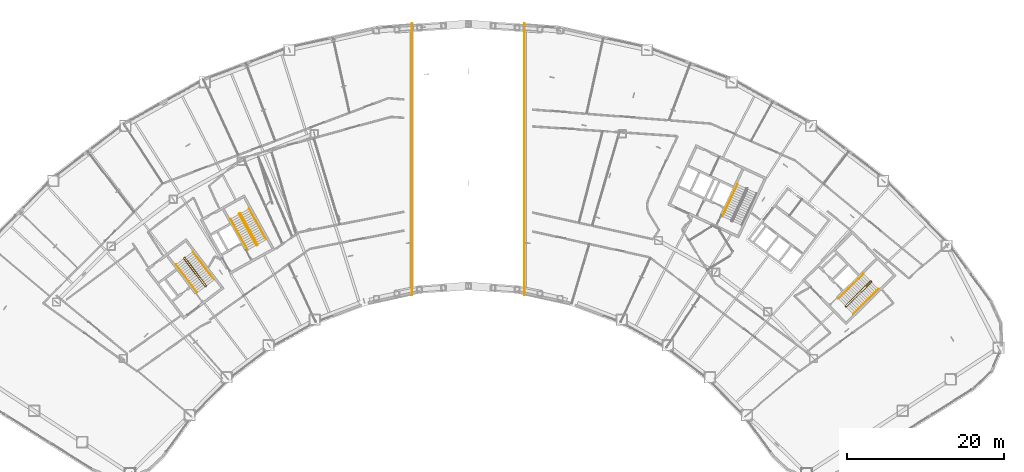
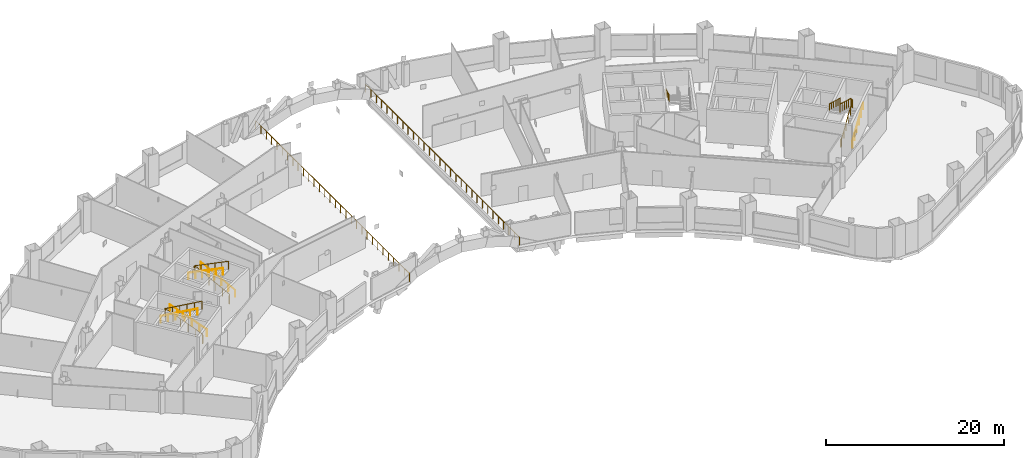
# One storey, part 23 of 24: 12 railings.
"""IFC4 building model written with IfcOpenShell, lengths in metres."""

import ifcopenshell
import ifcopenshell.guid

model = None  # the IFC model being written
_history = None  # IfcOwnerHistory: only IFC2X3 demands one
_inside = {}  # id of a spatial element -> (the spatial element, [elements in it])
_under = {}  # id of a project, library or spatial element -> (it, [spatial elements below it])
_declared = {}  # id of a project -> (the project, [libraries it declares])
_typed = {}  # id of a type object -> (the type object, [elements of that type])
_made_of = {}  # id of a material, layer set ... -> (it, [elements and type objects made of it])


def new_model(schema):
    """Start an empty IFC model of exactly this schema.

    Asked for "IFC4X3", IfcOpenShell would pick the latest addendum, in which some entities
    have other attributes; the version numbers below select the first issue.
    IFC2X3 requires an IfcOwnerHistory on every rooted entity: one is made here for all.
    """
    global model, _history
    if schema == "IFC4X3":
        model = ifcopenshell.file(schema_version=(4, 3, 0, 0))
    else:
        model = ifcopenshell.file(schema=schema)
    _inside.clear()
    _under.clear()
    _declared.clear()
    _typed.clear()
    _made_of.clear()
    _history = None
    if model.schema == "IFC2X3":
        org = make("IfcOrganization", Name="unknown")
        user = make(
            "IfcPersonAndOrganization",
            ThePerson=make("IfcPerson", FamilyName="unknown"),
            TheOrganization=org,
        )
        app = make(
            "IfcApplication",
            ApplicationDeveloper=org,
            Version="unknown",
            ApplicationFullName="unknown",
            ApplicationIdentifier="unknown",
        )
        _history = make(
            "IfcOwnerHistory",
            OwningUser=user,
            OwningApplication=app,
            ChangeAction="ADDED",
            CreationDate=0,
        )
    return model


def make(cls, **values):
    """One entity of the class cls with the attributes given. An attribute that is None is left unset."""
    return model.create_entity(
        cls, **{name: value for name, value in values.items() if value is not None}
    )


def rooted(cls, **values):
    """An entity with a GlobalId (a new one), such as an element, a storey or a relation."""
    return make(cls, GlobalId=ifcopenshell.guid.new(), OwnerHistory=_history, **values)


def si_unit(unit_type, name, prefix=None):
    """IfcSIUnit, for example si_unit("LENGTHUNIT", "METRE", prefix="MILLI")."""
    return make("IfcSIUnit", UnitType=unit_type, Prefix=prefix, Name=name)


def assignment(units):
    """IfcUnitAssignment: the units of a project."""
    return None if units is None else make("IfcUnitAssignment", Units=units)


def point(xyz):
    """IfcCartesianPoint."""
    return None if xyz is None else make("IfcCartesianPoint", Coordinates=xyz)


def direction(xyz):
    """IfcDirection."""
    return None if xyz is None else make("IfcDirection", DirectionRatios=xyz)


def frame(location, z_axis=None, x_axis=None):
    """IfcAxis2Placement3D, a coordinate frame: its origin and axes. An axis left out is left unset."""
    return make(
        "IfcAxis2Placement3D",
        Location=point(location),
        Axis=direction(z_axis),
        RefDirection=direction(x_axis),
    )


def frame_2d(location, x_axis=None):
    """IfcAxis2Placement2D, a coordinate frame in the plane: its origin and x axis."""
    return make(
        "IfcAxis2Placement2D", Location=point(location), RefDirection=direction(x_axis)
    )


def origin():
    """The frame at (0, 0, 0) with its axes left unset."""
    return frame((0.0, 0.0, 0.0))


def origin_2d():
    """The frame at (0, 0) in the plane with its x axis left unset."""
    return frame_2d((0.0, 0.0))


def place(relative_to, where):
    """IfcLocalPlacement: puts the frame where relative to a parent placement (None: the world)."""
    return make(
        "IfcLocalPlacement", PlacementRelTo=relative_to, RelativePlacement=where
    )


def context(
    kind, dimensions, precision=None, world=None, true_north=None, identifier=None
):
    """IfcGeometricRepresentationContext, for example the 3D "Model" context."""
    return make(
        "IfcGeometricRepresentationContext",
        ContextIdentifier=identifier,
        ContextType=kind,
        CoordinateSpaceDimension=dimensions,
        Precision=precision,
        WorldCoordinateSystem=world,
        TrueNorth=true_north,
    )


def subcontext(parent, identifier, kind, view, scale=None):
    """IfcGeometricRepresentationSubContext, for example "Body" below "Model"."""
    return make(
        "IfcGeometricRepresentationSubContext",
        ContextIdentifier=identifier,
        ContextType=kind,
        ParentContext=parent,
        TargetScale=scale,
        TargetView=view,
    )


def project(units=None, contexts=None):
    """IfcProject with its units and contexts."""
    return rooted(
        "IfcProject",
        Name="project",
        RepresentationContexts=contexts,
        UnitsInContext=assignment(units),
    )


def spatial(cls, under=None, at=None, **own):
    """A site, building, storey or space (cls), placed at a placement, below another one or the project."""
    s = rooted(cls, ObjectPlacement=at, **own)
    if under is not None:
        _under.setdefault(under.id(), (under, []))[1].append(s)
    return s


def profile(cls, at=None, kind="AREA", **sizes):
    """A parametric profile (cls). Its sizes go by their IFC names, for example OverallWidth=200.0."""
    return make(cls, ProfileType=kind, Position=at, **sizes)


def circle(**sizes):
    """IfcCircleProfileDef."""
    return profile("IfcCircleProfileDef", **sizes)


def extrude(swept, where, along, depth):
    """IfcExtrudedAreaSolid: the profile swept, set in the frame where, extruded along a direction by depth."""
    return make(
        "IfcExtrudedAreaSolid",
        SweptArea=swept,
        Position=where,
        ExtrudedDirection=direction(along),
        Depth=depth,
    )


def shape(context_of_items, identifier, shape_type, items):
    """IfcShapeRepresentation: the items that make up one representation, for example the "Body"."""
    return make(
        "IfcShapeRepresentation",
        ContextOfItems=context_of_items,
        RepresentationIdentifier=identifier,
        RepresentationType=shape_type,
        Items=items,
    )


def material(Name=None, Category=None):
    """IfcMaterial."""
    return make("IfcMaterial", Name=Name, Category=Category)


def made_of(thing, what):
    """Note that an element or type object is made of a material, layer set ...; save() writes the relation."""
    if what is not None:
        _made_of.setdefault(what.id(), (what, []))[1].append(thing)
    return thing


def type_object(cls, material=None, **own):
    """A type object (cls), such as IfcWallType, which elements share."""
    return made_of(rooted(cls, **own), material)


def element(
    cls,
    number,
    at=None,
    inside=None,
    cuts=None,
    type_object=None,
    material=None,
    context=None,
    identifier="Body",
    shape_type=None,
    held_by="IfcProductDefinitionShape",
    body=None,
    shapes=None,
    **own,
):
    """One element of the class cls, such as IfcWall. Its Tag is "e" and its number.

    at: its placement. inside: the storey or other place that contains it. cuts: it is an
    opening in that element (IfcRelVoidsElement). A single representation is given by context,
    identifier, shape_type and body (its items); several are given by shapes. held_by: the class
    of the entity that holds the representations. save() writes the other relations.
    """
    e = rooted(cls, Tag="e%d" % number, ObjectPlacement=at, **own)
    if body is not None:
        shapes = [shape(context, identifier, shape_type, body)]
    if shapes is not None:
        e.Representation = make(held_by, Representations=shapes)
    if inside is not None:
        _inside.setdefault(inside.id(), (inside, []))[1].append(e)
    if cuts is not None:
        rooted(
            "IfcRelVoidsElement", RelatingBuildingElement=cuts, RelatedOpeningElement=e
        )
    if type_object is not None:
        _typed.setdefault(type_object.id(), (type_object, []))[1].append(e)
    return made_of(e, material)


def aggregate(whole, parts):
    """IfcRelAggregates: a whole, such as a stair, and the parts it consists of."""
    return rooted("IfcRelAggregates", RelatingObject=whole, RelatedObjects=parts)


def save(model, path):
    """Write the relations noted so far, then the file.

    IfcRelAggregates (storeys below a building ...), IfcRelContainedInSpatialStructure (elements
    in a storey), IfcRelDefinesByType, IfcRelAssociatesMaterial and IfcRelDeclares: one each for
    every whole, place, type object, material and project.
    """
    for whole, parts in _under.values():
        aggregate(whole, parts)
    for where, things in _inside.values():
        rooted(
            "IfcRelContainedInSpatialStructure",
            RelatedElements=things,
            RelatingStructure=where,
        )
    for kind, things in _typed.values():
        rooted("IfcRelDefinesByType", RelatedObjects=things, RelatingType=kind)
    for what, things in _made_of.values():
        rooted("IfcRelAssociatesMaterial", RelatedObjects=things, RelatingMaterial=what)
    for by, libraries in _declared.values():
        rooted("IfcRelDeclares", RelatingContext=by, RelatedDefinitions=libraries)
    model.write(path)


model = new_model("IFC4")

# Units and contexts
model_context = context("Model", 3, precision=1e-05, world=origin(), true_north=direction((0.0, 1.0)))
body_context = subcontext(model_context, "Body", "Model", "MODEL_VIEW")
ifc_project = project(units=[si_unit("LENGTHUNIT", "METRE"), si_unit("AREAUNIT", "SQUARE_METRE"), si_unit("VOLUMEUNIT", "CUBIC_METRE"), si_unit("PLANEANGLEUNIT", "RADIAN"), si_unit("MASSUNIT", "GRAM", prefix="KILO")], contexts=[model_context])

# Site, building, storey
site_placement = place(None, origin())
site = spatial("IfcSite", under=ifc_project, at=site_placement, CompositionType="ELEMENT")
building_placement = place(site_placement, origin())
building = spatial("IfcBuilding", under=site, at=building_placement, Name="Tuul Gate Civic Tower", CompositionType="ELEMENT")
storey_placement = place(building_placement, frame((0.0, 0.0, 21.89990234375)))
storey = spatial("IfcBuildingStorey", under=building, at=storey_placement, Name="Level 04", CompositionType="ELEMENT", Elevation=21.89990234375)

# Railings
ifc_material_1 = material(Name="Painted steel", Category="steel")
railing_type_1 = type_object("IfcRailingType", Name="Stair guard", PredefinedType="GUARDRAIL", material=ifc_material_1)
railing_1_placement = place(storey_placement, frame((-33.382080078125, -13.515380859375, 0.0)))
element("IfcRailing", 1, at=railing_1_placement, inside=storey, type_object=railing_type_1, Name="Level 04 ST-1 stair guard 1", PredefinedType="GUARDRAIL", context=body_context, shape_type="SweptSolid", body=[
    extrude(circle(Radius=0.02392578125, at=origin_2d()), frame((0.0, 0.0, 1.076171875), z_axis=(-0.795879841968, -0.605454603706, 0.0), x_axis=(0.605454603706, -0.795879841968, 0.0)), (0.0, 0.0, 1.0), 0.10009765625),
    extrude(circle(Radius=0.02392578125, at=origin_2d()), frame((-0.07958984375, -0.060546875, 1.076171875), z_axis=(0.408676696321, 0.599019267211, 0.688592241747), x_axis=(-0.826063974707, 0.563576356576, 0.0)), (0.0, 0.0, 1.0), 0.218017578125),
    extrude(circle(Radius=0.02392578125, at=origin_2d()), frame((0.009521484375, 0.070068359375, 1.22607421875), z_axis=(-0.541802573537, 0.711646640476, 0.44722369169), x_axis=(-0.795649622695, -0.605757111312, 0.0)), (0.0, 0.0, 1.0), 5.031005859375),
    extrude(circle(Radius=0.02392578125, at=origin_2d()), frame((-2.71630859375, 3.650390625, 3.47607421875), z_axis=(-0.990893089246, 0.134650977284, 0.0), x_axis=(-0.134650977284, -0.990893089246, 0.0)), (0.0, 0.0, 1.0), 0.07080078125),
    extrude(circle(Radius=0.02392578125, at=origin_2d()), frame((-2.786376953125, 3.659912109375, 3.47607421875), z_axis=(-0.795879841968, -0.605454603706, 0.0), x_axis=(0.605454603706, -0.795879841968, 0.0)), (0.0, 0.0, 1.0), 0.10009765625),
    extrude(circle(Radius=0.02392578125, at=origin_2d()), frame((-2.865966796875, 3.599365234375, 3.47607421875), z_axis=(-0.057447065493, -0.422751481959, 0.904423031091), x_axis=(0.990893089246, -0.134650977284, 0.0)), (0.0, 0.0, 1.0), 0.165771484375),
    extrude(circle(Radius=0.02392578125, at=origin_2d()), frame((-2.87548828125, 3.529296875, 3.6259765625), z_axis=(0.541802573537, -0.711646640476, 0.44722369169), x_axis=(0.795649622695, 0.605757111312, 0.0)), (0.0, 0.0, 1.0), 5.031005859375),
    extrude(circle(Radius=0.02099609375, at=origin_2d()), origin(), (0.0, 0.0, 1.0), 1.052001953125),
    extrude(circle(Radius=0.02099609375, at=origin_2d()), frame((-0.07958984375, -0.060546875, 0.0)), (0.0, 0.0, 1.0), 1.052001953125),
    extrude(circle(Radius=0.02099609375, at=origin_2d()), frame((0.009521484375, 0.070068359375, 0.150146484375)), (0.0, 0.0, 1.0), 1.052001953125),
    extrude(circle(Radius=0.02099609375, at=origin_2d()), frame((-0.53564453125, 0.7861328125, 0.60009765625)), (0.0, 0.0, 1.0), 1.052001953125),
    extrude(circle(Radius=0.02099609375, at=origin_2d()), frame((-1.080810546875, 1.502197265625, 1.050048828125)), (0.0, 0.0, 1.0), 1.052001953125),
    extrude(circle(Radius=0.02099609375, at=origin_2d()), frame((-1.6259765625, 2.21826171875, 1.500244140625)), (0.0, 0.0, 1.0), 1.052001953125),
    extrude(circle(Radius=0.02099609375, at=origin_2d()), frame((-2.171142578125, 2.934326171875, 1.9501953125)), (0.0, 0.0, 1.0), 1.052001953125),
    extrude(circle(Radius=0.02099609375, at=origin_2d()), frame((-2.71630859375, 3.650390625, 2.400146484375)), (0.0, 0.0, 1.0), 1.052001953125),
    extrude(circle(Radius=0.02099609375, at=origin_2d()), frame((-2.786376953125, 3.659912109375, 2.400146484375)), (0.0, 0.0, 1.0), 1.052001953125),
    extrude(circle(Radius=0.02099609375, at=origin_2d()), frame((-2.865966796875, 3.599365234375, 2.400146484375)), (0.0, 0.0, 1.0), 1.052001953125),
    extrude(circle(Radius=0.02099609375, at=origin_2d()), frame((-2.87548828125, 3.529296875, 2.550048828125)), (0.0, 0.0, 1.0), 1.052001953125),
    extrude(circle(Radius=0.02099609375, at=origin_2d()), frame((-2.330322265625, 2.813232421875, 3.0)), (0.0, 0.0, 1.0), 1.052001953125),
    extrude(circle(Radius=0.02099609375, at=origin_2d()), frame((-1.78515625, 2.09716796875, 3.449951171875)), (0.0, 0.0, 1.0), 1.052001953125),
    extrude(circle(Radius=0.02099609375, at=origin_2d()), frame((-1.239990234375, 1.381103515625, 3.900146484375)), (0.0, 0.0, 1.0), 1.052001953125),
    extrude(circle(Radius=0.02099609375, at=origin_2d()), frame((-0.69482421875, 0.6650390625, 4.35009765625)), (0.0, 0.0, 1.0), 1.052001953125),
    extrude(circle(Radius=0.02099609375, at=origin_2d()), frame((-0.149658203125, -0.051025390625, 4.800048828125)), (0.0, 0.0, 1.0), 1.052001953125),
])
railing_2_placement = place(storey_placement, frame((-26.857666015625, -8.247314453125, 0.0)))
element("IfcRailing", 2, at=railing_2_placement, inside=storey, type_object=railing_type_1, Name="Level 04 ST-2 stair guard 1", PredefinedType="GUARDRAIL", context=body_context, shape_type="SweptSolid", body=[
    extrude(circle(Radius=0.02392578125, at=origin_2d()), frame((0.0, 0.0, 1.076171875), z_axis=(-0.874616555828, -0.48481530532, 0.0), x_axis=(0.48481530532, -0.874616555828, 0.0)), (0.0, 0.0, 1.0), 0.10009765625),
    extrude(circle(Radius=0.02392578125, at=origin_2d()), frame((-0.087646484375, -0.048583984375, 1.076171875), z_axis=(0.490435707169, 0.534104639999, 0.688625479244), x_axis=(-0.736576986774, 0.676353711126, 0.0)), (0.0, 0.0, 1.0), 0.218017578125),
    extrude(circle(Radius=0.02392578125, at=origin_2d()), frame((0.019287109375, 0.06787109375, 1.22607421875), z_axis=(-0.433570456934, 0.782319295656, 0.447205968786), x_axis=(-0.874655833576, -0.484744440702, 0.0)), (0.0, 0.0, 1.0), 5.03125),
    extrude(circle(Radius=0.02392578125, at=origin_2d()), frame((-2.162109375, 4.00390625, 3.47607421875), z_axis=(-0.961914682459, 0.273349855807, 0.0), x_axis=(-0.273349855807, -0.961914682459, 0.0)), (0.0, 0.0, 1.0), 0.070556640625),
    extrude(circle(Radius=0.02392578125, at=origin_2d()), frame((-2.22998046875, 4.023193359375, 3.47607421875), z_axis=(-0.875078096442, -0.48398174049, 0.0), x_axis=(0.48398174049, -0.875078096442, 0.0)), (0.0, 0.0, 1.0), 0.099853515625),
    extrude(circle(Radius=0.02392578125, at=origin_2d()), frame((-2.3173828125, 3.974853515625, 3.47607421875), z_axis=(-0.117795287813, -0.410811066247, 0.904078833962), x_axis=(0.961263487578, -0.275631107549, 0.0)), (0.0, 0.0, 1.0), 0.165771484375),
    extrude(circle(Radius=0.02392578125, at=origin_2d()), frame((-2.3369140625, 3.90673828125, 3.6259765625), z_axis=(0.433586916566, -0.782300468042, 0.447222946062), x_axis=(0.874643084613, 0.48476744377, 0.0)), (0.0, 0.0, 1.0), 5.031005859375),
    extrude(circle(Radius=0.02099609375, at=origin_2d()), origin(), (0.0, 0.0, 1.0), 1.052001953125),
    extrude(circle(Radius=0.02099609375, at=origin_2d()), frame((-0.087646484375, -0.048583984375, 0.0)), (0.0, 0.0, 1.0), 1.052001953125),
    extrude(circle(Radius=0.02099609375, at=origin_2d()), frame((0.019287109375, 0.06787109375, 0.150146484375)), (0.0, 0.0, 1.0), 1.052001953125),
    extrude(circle(Radius=0.02099609375, at=origin_2d()), frame((-0.4169921875, 0.85498046875, 0.60009765625)), (0.0, 0.0, 1.0), 1.052001953125),
    extrude(circle(Radius=0.02099609375, at=origin_2d()), frame((-0.853271484375, 1.642333984375, 1.050048828125)), (0.0, 0.0, 1.0), 1.052001953125),
    extrude(circle(Radius=0.02099609375, at=origin_2d()), frame((-1.28955078125, 2.429443359375, 1.500244140625)), (0.0, 0.0, 1.0), 1.052001953125),
    extrude(circle(Radius=0.02099609375, at=origin_2d()), frame((-1.725830078125, 3.216796875, 1.9501953125)), (0.0, 0.0, 1.0), 1.052001953125),
    extrude(circle(Radius=0.02099609375, at=origin_2d()), frame((-2.162109375, 4.00390625, 2.400146484375)), (0.0, 0.0, 1.0), 1.052001953125),
    extrude(circle(Radius=0.02099609375, at=origin_2d()), frame((-2.22998046875, 4.023193359375, 2.400146484375)), (0.0, 0.0, 1.0), 1.052001953125),
    extrude(circle(Radius=0.02099609375, at=origin_2d()), frame((-2.3173828125, 3.974853515625, 2.400146484375)), (0.0, 0.0, 1.0), 1.052001953125),
    extrude(circle(Radius=0.02099609375, at=origin_2d()), frame((-2.3369140625, 3.90673828125, 2.550048828125)), (0.0, 0.0, 1.0), 1.052001953125),
    extrude(circle(Radius=0.02099609375, at=origin_2d()), frame((-1.900634765625, 3.11962890625, 3.0)), (0.0, 0.0, 1.0), 1.052001953125),
    extrude(circle(Radius=0.02099609375, at=origin_2d()), frame((-1.46435546875, 2.33251953125, 3.449951171875)), (0.0, 0.0, 1.0), 1.052001953125),
    extrude(circle(Radius=0.02099609375, at=origin_2d()), frame((-1.028076171875, 1.545166015625, 3.900146484375)), (0.0, 0.0, 1.0), 1.052001953125),
    extrude(circle(Radius=0.02099609375, at=origin_2d()), frame((-0.591796875, 0.758056640625, 4.35009765625)), (0.0, 0.0, 1.0), 1.052001953125),
    extrude(circle(Radius=0.02099609375, at=origin_2d()), frame((-0.155517578125, -0.029052734375, 4.800048828125)), (0.0, 0.0, 1.0), 1.052001953125),
])
railing_3_placement = place(storey_placement, frame((48.10546875, -16.134765625, 0.0)))
element("IfcRailing", 3, at=railing_3_placement, inside=storey, type_object=railing_type_1, Name="Level 04 ST-3 stair guard 1", PredefinedType="GUARDRAIL", context=body_context, shape_type="SweptSolid", body=[
    extrude(circle(Radius=0.02392578125, at=origin_2d()), frame((0.0, 0.0, 1.076171875), z_axis=(-0.698506948293, 0.715603272202, 0.0), x_axis=(-0.715603272202, -0.698506948293, 0.0)), (0.0, 0.0, 1.0), 0.099853515625),
    extrude(circle(Radius=0.02392578125, at=origin_2d()), frame((-0.06982421875, 0.071533203125, 1.076171875), z_axis=(0.644948864628, -0.331432055434, 0.688617277337), x_axis=(0.457068866502, 0.889431307788, 0.0)), (0.0, 0.0, 1.0), 0.218017578125),
    extrude(circle(Radius=0.02392578125, at=origin_2d()), frame((0.07080078125, -0.000732421875, 1.22607421875), z_axis=(0.638734809626, 0.626118304991, 0.447206564272), x_axis=(-0.700018794508, 0.714124420066, 0.0)), (0.0, 0.0, 1.0), 5.03125),
    extrude(circle(Radius=0.02392578125, at=origin_2d()), frame((3.284423828125, 3.1494140625, 3.47607421875), z_axis=(0.010344274102, 0.999946496565, 0.0), x_axis=(-0.999946496565, 0.010344274102, 0.0)), (0.0, 0.0, 1.0), 0.07080078125),
    extrude(circle(Radius=0.02392578125, at=origin_2d()), frame((3.28515625, 3.22021484375, 3.47607421875), z_axis=(-0.700974368541, 0.713186465554, 0.0), x_axis=(-0.713186465554, -0.700974368541, 0.0)), (0.0, 0.0, 1.0), 0.099853515625),
    extrude(circle(Radius=0.02392578125, at=origin_2d()), frame((3.215087890625, 3.29150390625, 3.47607421875), z_axis=(-0.427069033481, 0.004417955519, 0.904208229508), x_axis=(-0.010344274102, -0.999946496565, 0.0)), (0.0, 0.0, 1.0), 0.165771484375),
    extrude(circle(Radius=0.02392578125, at=origin_2d()), frame((3.144287109375, 3.292236328125, 3.6259765625), z_axis=(-0.638734809626, -0.626118304991, 0.447206564272), x_axis=(0.700018794508, -0.714124420066, 0.0)), (0.0, 0.0, 1.0), 5.03125),
    extrude(circle(Radius=0.02099609375, at=origin_2d()), origin(), (0.0, 0.0, 1.0), 1.052001953125),
    extrude(circle(Radius=0.02099609375, at=origin_2d()), frame((-0.06982421875, 0.071533203125, 0.0)), (0.0, 0.0, 1.0), 1.052001953125),
    extrude(circle(Radius=0.02099609375, at=origin_2d()), frame((0.07080078125, -0.000732421875, 0.150146484375)), (0.0, 0.0, 1.0), 1.052001953125),
    extrude(circle(Radius=0.02099609375, at=origin_2d()), frame((0.713623046875, 0.62939453125, 0.60009765625)), (0.0, 0.0, 1.0), 1.052001953125),
    extrude(circle(Radius=0.02099609375, at=origin_2d()), frame((1.356201171875, 1.25927734375, 1.050048828125)), (0.0, 0.0, 1.0), 1.052001953125),
    extrude(circle(Radius=0.02099609375, at=origin_2d()), frame((1.9990234375, 1.889404296875, 1.500244140625)), (0.0, 0.0, 1.0), 1.052001953125),
    extrude(circle(Radius=0.02099609375, at=origin_2d()), frame((2.6416015625, 2.519287109375, 1.9501953125)), (0.0, 0.0, 1.0), 1.052001953125),
    extrude(circle(Radius=0.02099609375, at=origin_2d()), frame((3.284423828125, 3.1494140625, 2.400146484375)), (0.0, 0.0, 1.0), 1.052001953125),
    extrude(circle(Radius=0.02099609375, at=origin_2d()), frame((3.28515625, 3.22021484375, 2.400146484375)), (0.0, 0.0, 1.0), 1.052001953125),
    extrude(circle(Radius=0.02099609375, at=origin_2d()), frame((3.215087890625, 3.29150390625, 2.400146484375)), (0.0, 0.0, 1.0), 1.052001953125),
    extrude(circle(Radius=0.02099609375, at=origin_2d()), frame((3.144287109375, 3.292236328125, 2.550048828125)), (0.0, 0.0, 1.0), 1.052001953125),
    extrude(circle(Radius=0.02099609375, at=origin_2d()), frame((2.50146484375, 2.662109375, 3.0)), (0.0, 0.0, 1.0), 1.052001953125),
    extrude(circle(Radius=0.02099609375, at=origin_2d()), frame((1.85888671875, 2.0322265625, 3.449951171875)), (0.0, 0.0, 1.0), 1.052001953125),
    extrude(circle(Radius=0.02099609375, at=origin_2d()), frame((1.216064453125, 1.402099609375, 3.900146484375)), (0.0, 0.0, 1.0), 1.052001953125),
    extrude(circle(Radius=0.02099609375, at=origin_2d()), frame((0.573486328125, 0.772216796875, 4.35009765625)), (0.0, 0.0, 1.0), 1.052001953125),
    extrude(circle(Radius=0.02099609375, at=origin_2d()), frame((-0.0693359375, 0.14208984375, 4.800048828125)), (0.0, 0.0, 1.0), 1.052001953125),
])
ifc_material_2 = material(Name="Painted steel", Category="steel")
railing_type_2 = type_object("IfcRailingType", Name="Stair handrail", PredefinedType="HANDRAIL", material=ifc_material_2)
railing_4_placement = place(storey_placement, frame((-32.3779296875, -12.688232421875, 0.150146484375)))
element("IfcRailing", 4, at=railing_4_placement, inside=storey, type_object=railing_type_2, Name="Level 04 ST-1 stair handrail 1", PredefinedType="HANDRAIL", context=body_context, shape_type="SweptSolid", body=[
    extrude(circle(Radius=0.02392578125, at=origin_2d()), frame((0.0, 0.0, 0.8759765625), z_axis=(-0.541818143522, 0.711651880073, 0.447196490301), x_axis=(-0.795643382243, -0.605765307931, 0.0)), (0.0, 0.0, 1.0), 5.03125),
    extrude(circle(Radius=0.02099609375, at=origin_2d()), origin(), (0.0, 0.0, 1.0), 0.851806640625),
    extrude(circle(Radius=0.02099609375, at=origin_2d()), frame((-0.545166015625, 0.716064453125, 0.449951171875)), (0.0, 0.0, 1.0), 0.851806640625),
    extrude(circle(Radius=0.02099609375, at=origin_2d()), frame((-1.09033203125, 1.43212890625, 0.89990234375)), (0.0, 0.0, 1.0), 0.851806640625),
    extrude(circle(Radius=0.02099609375, at=origin_2d()), frame((-1.6357421875, 2.1484375, 1.35009765625)), (0.0, 0.0, 1.0), 0.851806640625),
    extrude(circle(Radius=0.02099609375, at=origin_2d()), frame((-2.180908203125, 2.864501953125, 1.800048828125)), (0.0, 0.0, 1.0), 0.851806640625),
    extrude(circle(Radius=0.02099609375, at=origin_2d()), frame((-2.72607421875, 3.58056640625, 2.25)), (0.0, 0.0, 1.0), 0.851806640625),
])
railing_5_placement = place(storey_placement, frame((-37.252197265625, -10.743408203125, 2.550048828125)))
element("IfcRailing", 5, at=railing_5_placement, inside=storey, type_object=railing_type_2, Name="Level 04 ST-1 stair handrail 2", PredefinedType="HANDRAIL", context=body_context, shape_type="SweptSolid", body=[
    extrude(circle(Radius=0.02392578125, at=origin_2d()), frame((0.0, 0.0, 0.8759765625), z_axis=(0.541836853995, -0.711627929772, 0.447211933227), x_axis=(0.795623473507, 0.6057914562, 0.0)), (0.0, 0.0, 1.0), 5.03125),
    extrude(circle(Radius=0.02099609375, at=origin_2d()), origin(), (0.0, 0.0, 1.0), 0.851806640625),
    extrude(circle(Radius=0.02099609375, at=origin_2d()), frame((0.545166015625, -0.716064453125, 0.449951171875)), (0.0, 0.0, 1.0), 0.851806640625),
    extrude(circle(Radius=0.02099609375, at=origin_2d()), frame((1.09033203125, -1.43212890625, 0.89990234375)), (0.0, 0.0, 1.0), 0.851806640625),
    extrude(circle(Radius=0.02099609375, at=origin_2d()), frame((1.6357421875, -2.148193359375, 1.35009765625)), (0.0, 0.0, 1.0), 0.851806640625),
    extrude(circle(Radius=0.02099609375, at=origin_2d()), frame((2.180908203125, -2.8642578125, 1.800048828125)), (0.0, 0.0, 1.0), 0.851806640625),
    extrude(circle(Radius=0.02099609375, at=origin_2d()), frame((2.72607421875, -3.580322265625, 2.25)), (0.0, 0.0, 1.0), 0.851806640625),
])
railing_6_placement = place(storey_placement, frame((-25.744873046875, -7.573486328125, 0.150146484375)))
element("IfcRailing", 6, at=railing_6_placement, inside=storey, type_object=railing_type_2, Name="Level 04 ST-2 stair handrail 1", PredefinedType="HANDRAIL", context=body_context, shape_type="SweptSolid", body=[
    extrude(circle(Radius=0.02392578125, at=origin_2d()), frame((0.0, 0.0, 0.8759765625), z_axis=(-0.433570456934, 0.782319295656, 0.447205968786), x_axis=(-0.874655833576, -0.484744440702, 0.0)), (0.0, 0.0, 1.0), 5.03125),
    extrude(circle(Radius=0.02099609375, at=origin_2d()), origin(), (0.0, 0.0, 1.0), 0.851806640625),
    extrude(circle(Radius=0.02099609375, at=origin_2d()), frame((-0.436279296875, 0.787109375, 0.449951171875)), (0.0, 0.0, 1.0), 0.851806640625),
    extrude(circle(Radius=0.02099609375, at=origin_2d()), frame((-0.87255859375, 1.574462890625, 0.89990234375)), (0.0, 0.0, 1.0), 0.851806640625),
    extrude(circle(Radius=0.02099609375, at=origin_2d()), frame((-1.308837890625, 2.361572265625, 1.35009765625)), (0.0, 0.0, 1.0), 0.851806640625),
    extrude(circle(Radius=0.02099609375, at=origin_2d()), frame((-1.7451171875, 3.14892578125, 1.800048828125)), (0.0, 0.0, 1.0), 0.851806640625),
    extrude(circle(Radius=0.02099609375, at=origin_2d()), frame((-2.181396484375, 3.93603515625, 2.25)), (0.0, 0.0, 1.0), 0.851806640625),
])
railing_7_placement = place(storey_placement, frame((-30.287841796875, -4.946533203125, 2.550048828125)))
element("IfcRailing", 7, at=railing_7_placement, inside=storey, type_object=railing_type_2, Name="Level 04 ST-2 stair handrail 2", PredefinedType="HANDRAIL", context=body_context, shape_type="SweptSolid", body=[
    extrude(circle(Radius=0.02392578125, at=origin_2d()), frame((0.0, 0.0, 0.8759765625), z_axis=(0.433586916566, -0.782300468042, 0.447222946062), x_axis=(0.874643084613, 0.48476744377, 0.0)), (0.0, 0.0, 1.0), 5.031005859375),
    extrude(circle(Radius=0.02099609375, at=origin_2d()), origin(), (0.0, 0.0, 1.0), 0.851806640625),
    extrude(circle(Radius=0.02099609375, at=origin_2d()), frame((0.436279296875, -0.787109375, 0.449951171875)), (0.0, 0.0, 1.0), 0.851806640625),
    extrude(circle(Radius=0.02099609375, at=origin_2d()), frame((0.87255859375, -1.57421875, 0.89990234375)), (0.0, 0.0, 1.0), 0.851806640625),
    extrude(circle(Radius=0.02099609375, at=origin_2d()), frame((1.308837890625, -2.361572265625, 1.35009765625)), (0.0, 0.0, 1.0), 0.851806640625),
    extrude(circle(Radius=0.02099609375, at=origin_2d()), frame((1.7451171875, -3.148681640625, 1.800048828125)), (0.0, 0.0, 1.0), 0.851806640625),
    extrude(circle(Radius=0.02099609375, at=origin_2d()), frame((2.181396484375, -3.935791015625, 2.25)), (0.0, 0.0, 1.0), 0.851806640625),
])
railing_8_placement = place(storey_placement, frame((49.05126953125, -17.028076171875, 0.150146484375)))
element("IfcRailing", 8, at=railing_8_placement, inside=storey, type_object=railing_type_2, Name="Level 04 ST-3 stair handrail 1", PredefinedType="HANDRAIL", context=body_context, shape_type="SweptSolid", body=[
    extrude(circle(Radius=0.02392578125, at=origin_2d()), frame((0.0, 0.0, 0.8759765625), z_axis=(0.638734809626, 0.626118304991, 0.447206564272), x_axis=(-0.700018794508, 0.714124420066, 0.0)), (0.0, 0.0, 1.0), 5.03125),
    extrude(circle(Radius=0.02099609375, at=origin_2d()), origin(), (0.0, 0.0, 1.0), 0.851806640625),
    extrude(circle(Radius=0.02099609375, at=origin_2d()), frame((0.642822265625, 0.630126953125, 0.449951171875)), (0.0, 0.0, 1.0), 0.851806640625),
    extrude(circle(Radius=0.02099609375, at=origin_2d()), frame((1.285400390625, 1.260009765625, 0.89990234375)), (0.0, 0.0, 1.0), 0.851806640625),
    extrude(circle(Radius=0.02099609375, at=origin_2d()), frame((1.92822265625, 1.89013671875, 1.35009765625)), (0.0, 0.0, 1.0), 0.851806640625),
    extrude(circle(Radius=0.02099609375, at=origin_2d()), frame((2.57080078125, 2.52001953125, 1.800048828125)), (0.0, 0.0, 1.0), 0.851806640625),
    extrude(circle(Radius=0.02099609375, at=origin_2d()), frame((3.213623046875, 3.150146484375, 2.25)), (0.0, 0.0, 1.0), 0.851806640625),
])
railing_9_placement = place(storey_placement, frame((50.374755859375, -11.949951171875, 2.550048828125)))
element("IfcRailing", 9, at=railing_9_placement, inside=storey, type_object=railing_type_2, Name="Level 04 ST-3 stair handrail 2", PredefinedType="HANDRAIL", context=body_context, shape_type="SweptSolid", body=[
    extrude(circle(Radius=0.02392578125, at=origin_2d()), frame((0.0, 0.0, 0.8759765625), z_axis=(-0.638754216056, -0.626088801607, 0.447220151574), x_axis=(0.699991125633, -0.714151541366, 0.0)), (0.0, 0.0, 1.0), 5.031005859375),
    extrude(circle(Radius=0.02099609375, at=origin_2d()), origin(), (0.0, 0.0, 1.0), 0.851806640625),
    extrude(circle(Radius=0.02099609375, at=origin_2d()), frame((-0.642822265625, -0.6298828125, 0.449951171875)), (0.0, 0.0, 1.0), 0.851806640625),
    extrude(circle(Radius=0.02099609375, at=origin_2d()), frame((-1.285400390625, -1.260009765625, 0.89990234375)), (0.0, 0.0, 1.0), 0.851806640625),
    extrude(circle(Radius=0.02099609375, at=origin_2d()), frame((-1.92822265625, -1.889892578125, 1.35009765625)), (0.0, 0.0, 1.0), 0.851806640625),
    extrude(circle(Radius=0.02099609375, at=origin_2d()), frame((-2.57080078125, -2.52001953125, 1.800048828125)), (0.0, 0.0, 1.0), 0.851806640625),
    extrude(circle(Radius=0.02099609375, at=origin_2d()), frame((-3.213623046875, -3.14990234375, 2.25)), (0.0, 0.0, 1.0), 0.851806640625),
])
railing_10_placement = place(storey_placement, frame((34.299560546875, -0.523193359375, 2.550048828125)))
element("IfcRailing", 10, at=railing_10_placement, inside=storey, type_object=railing_type_2, Name="Level 04 ST-4 stair handrail 2", PredefinedType="HANDRAIL", context=body_context, shape_type="SweptSolid", body=[
    extrude(circle(Radius=0.02392578125, at=origin_2d()), frame((0.0, 0.0, 0.8759765625), z_axis=(-0.377973126322, -0.810635649661, 0.447220481728), x_axis=(0.906321697749, -0.42258842884, 0.0)), (0.0, 0.0, 1.0), 5.031005859375),
    extrude(circle(Radius=0.02099609375, at=origin_2d()), origin(), (0.0, 0.0, 1.0), 0.851806640625),
    extrude(circle(Radius=0.02099609375, at=origin_2d()), frame((-0.38037109375, -0.815673828125, 0.449951171875)), (0.0, 0.0, 1.0), 0.851806640625),
    extrude(circle(Radius=0.02099609375, at=origin_2d()), frame((-0.7607421875, -1.63134765625, 0.89990234375)), (0.0, 0.0, 1.0), 0.851806640625),
    extrude(circle(Radius=0.02099609375, at=origin_2d()), frame((-1.140869140625, -2.447021484375, 1.35009765625)), (0.0, 0.0, 1.0), 0.851806640625),
    extrude(circle(Radius=0.02099609375, at=origin_2d()), frame((-1.521240234375, -3.2626953125, 1.800048828125)), (0.0, 0.0, 1.0), 0.851806640625),
    extrude(circle(Radius=0.02099609375, at=origin_2d()), frame((-1.901611328125, -4.078369140625, 2.25)), (0.0, 0.0, 1.0), 0.851806640625),
])
ifc_material_3 = material(Name="Stainless steel", Category="steel")
railing_type_3 = type_object("IfcRailingType", Name="Terrace guard", PredefinedType="GUARDRAIL", material=ifc_material_3)
railing_11_placement = place(storey_placement, frame((-7.14990234375, -14.637939453125, 0.0)))
element("IfcRailing", 11, at=railing_11_placement, inside=storey, type_object=railing_type_3, Name="Guard", PredefinedType="GUARDRAIL", context=body_context, shape_type="SweptSolid", body=[
    extrude(circle(Radius=0.02392578125, at=origin_2d()), frame((0.0, 0.0, 1.076171875), z_axis=(0.0, 1.0, 0.0), x_axis=(-1.0, 0.0, 0.0)), (0.0, 0.0, 1.0), 34.64697265625),
    extrude(circle(Radius=0.02099609375, at=origin_2d()), origin(), (0.0, 0.0, 1.0), 1.052001953125),
    extrude(circle(Radius=0.02099609375, at=origin_2d()), frame((0.0, 1.19482421875, 0.0)), (0.0, 0.0, 1.0), 1.052001953125),
    extrude(circle(Radius=0.02099609375, at=origin_2d()), frame((0.0, 2.389404296875, 0.0)), (0.0, 0.0, 1.0), 1.052001953125),
    extrude(circle(Radius=0.02099609375, at=origin_2d()), frame((0.0, 3.584228515625, 0.0)), (0.0, 0.0, 1.0), 1.052001953125),
    extrude(circle(Radius=0.02099609375, at=origin_2d()), frame((0.0, 4.77880859375, 0.0)), (0.0, 0.0, 1.0), 1.052001953125),
    extrude(circle(Radius=0.02099609375, at=origin_2d()), frame((0.0, 5.9736328125, 0.0)), (0.0, 0.0, 1.0), 1.052001953125),
    extrude(circle(Radius=0.02099609375, at=origin_2d()), frame((0.0, 7.16845703125, 0.0)), (0.0, 0.0, 1.0), 1.052001953125),
    extrude(circle(Radius=0.02099609375, at=origin_2d()), frame((0.0, 8.363037109375, 0.0)), (0.0, 0.0, 1.0), 1.052001953125),
    extrude(circle(Radius=0.02099609375, at=origin_2d()), frame((0.0, 9.557861328125, 0.0)), (0.0, 0.0, 1.0), 1.052001953125),
    extrude(circle(Radius=0.02099609375, at=origin_2d()), frame((0.0, 10.75244140625, 0.0)), (0.0, 0.0, 1.0), 1.052001953125),
    extrude(circle(Radius=0.02099609375, at=origin_2d()), frame((0.0, 11.947265625, 0.0)), (0.0, 0.0, 1.0), 1.052001953125),
    extrude(circle(Radius=0.02099609375, at=origin_2d()), frame((0.0, 13.141845703125, 0.0)), (0.0, 0.0, 1.0), 1.052001953125),
    extrude(circle(Radius=0.02099609375, at=origin_2d()), frame((0.0, 14.336669921875, 0.0)), (0.0, 0.0, 1.0), 1.052001953125),
    extrude(circle(Radius=0.02099609375, at=origin_2d()), frame((0.0, 15.531494140625, 0.0)), (0.0, 0.0, 1.0), 1.052001953125),
    extrude(circle(Radius=0.02099609375, at=origin_2d()), frame((0.0, 16.72607421875, 0.0)), (0.0, 0.0, 1.0), 1.052001953125),
    extrude(circle(Radius=0.02099609375, at=origin_2d()), frame((0.0, 17.9208984375, 0.0)), (0.0, 0.0, 1.0), 1.052001953125),
    extrude(circle(Radius=0.02099609375, at=origin_2d()), frame((0.0, 19.115478515625, 0.0)), (0.0, 0.0, 1.0), 1.052001953125),
    extrude(circle(Radius=0.02099609375, at=origin_2d()), frame((0.0, 20.310302734375, 0.0)), (0.0, 0.0, 1.0), 1.052001953125),
    extrude(circle(Radius=0.02099609375, at=origin_2d()), frame((0.0, 21.505126953125, 0.0)), (0.0, 0.0, 1.0), 1.052001953125),
    extrude(circle(Radius=0.02099609375, at=origin_2d()), frame((0.0, 22.69970703125, 0.0)), (0.0, 0.0, 1.0), 1.052001953125),
    extrude(circle(Radius=0.02099609375, at=origin_2d()), frame((0.0, 23.89453125, 0.0)), (0.0, 0.0, 1.0), 1.052001953125),
    extrude(circle(Radius=0.02099609375, at=origin_2d()), frame((0.0, 25.089111328125, 0.0)), (0.0, 0.0, 1.0), 1.052001953125),
    extrude(circle(Radius=0.02099609375, at=origin_2d()), frame((0.0, 26.283935546875, 0.0)), (0.0, 0.0, 1.0), 1.052001953125),
    extrude(circle(Radius=0.02099609375, at=origin_2d()), frame((0.0, 27.478515625, 0.0)), (0.0, 0.0, 1.0), 1.052001953125),
    extrude(circle(Radius=0.02099609375, at=origin_2d()), frame((0.0, 28.67333984375, 0.0)), (0.0, 0.0, 1.0), 1.052001953125),
    extrude(circle(Radius=0.02099609375, at=origin_2d()), frame((0.0, 29.8681640625, 0.0)), (0.0, 0.0, 1.0), 1.052001953125),
    extrude(circle(Radius=0.02099609375, at=origin_2d()), frame((0.0, 31.062744140625, 0.0)), (0.0, 0.0, 1.0), 1.052001953125),
    extrude(circle(Radius=0.02099609375, at=origin_2d()), frame((0.0, 32.257568359375, 0.0)), (0.0, 0.0, 1.0), 1.052001953125),
    extrude(circle(Radius=0.02099609375, at=origin_2d()), frame((0.0, 33.4521484375, 0.0)), (0.0, 0.0, 1.0), 1.052001953125),
    extrude(circle(Radius=0.02099609375, at=origin_2d()), frame((0.0, 34.64697265625, 0.0)), (0.0, 0.0, 1.0), 1.052001953125),
])
railing_12_placement = place(storey_placement, frame((7.14990234375, -14.637939453125, 0.0)))
element("IfcRailing", 12, at=railing_12_placement, inside=storey, type_object=railing_type_3, Name="Guard", PredefinedType="GUARDRAIL", context=body_context, shape_type="SweptSolid", body=[
    extrude(circle(Radius=0.02392578125, at=origin_2d()), frame((0.0, 0.0, 1.076171875), z_axis=(0.0, 1.0, 0.0), x_axis=(-1.0, 0.0, 0.0)), (0.0, 0.0, 1.0), 34.64697265625),
    extrude(circle(Radius=0.02099609375, at=origin_2d()), origin(), (0.0, 0.0, 1.0), 1.052001953125),
    extrude(circle(Radius=0.02099609375, at=origin_2d()), frame((0.0, 1.19482421875, 0.0)), (0.0, 0.0, 1.0), 1.052001953125),
    extrude(circle(Radius=0.02099609375, at=origin_2d()), frame((0.0, 2.389404296875, 0.0)), (0.0, 0.0, 1.0), 1.052001953125),
    extrude(circle(Radius=0.02099609375, at=origin_2d()), frame((0.0, 3.584228515625, 0.0)), (0.0, 0.0, 1.0), 1.052001953125),
    extrude(circle(Radius=0.02099609375, at=origin_2d()), frame((0.0, 4.77880859375, 0.0)), (0.0, 0.0, 1.0), 1.052001953125),
    extrude(circle(Radius=0.02099609375, at=origin_2d()), frame((0.0, 5.9736328125, 0.0)), (0.0, 0.0, 1.0), 1.052001953125),
    extrude(circle(Radius=0.02099609375, at=origin_2d()), frame((0.0, 7.16845703125, 0.0)), (0.0, 0.0, 1.0), 1.052001953125),
    extrude(circle(Radius=0.02099609375, at=origin_2d()), frame((0.0, 8.363037109375, 0.0)), (0.0, 0.0, 1.0), 1.052001953125),
    extrude(circle(Radius=0.02099609375, at=origin_2d()), frame((0.0, 9.557861328125, 0.0)), (0.0, 0.0, 1.0), 1.052001953125),
    extrude(circle(Radius=0.02099609375, at=origin_2d()), frame((0.0, 10.75244140625, 0.0)), (0.0, 0.0, 1.0), 1.052001953125),
    extrude(circle(Radius=0.02099609375, at=origin_2d()), frame((0.0, 11.947265625, 0.0)), (0.0, 0.0, 1.0), 1.052001953125),
    extrude(circle(Radius=0.02099609375, at=origin_2d()), frame((0.0, 13.141845703125, 0.0)), (0.0, 0.0, 1.0), 1.052001953125),
    extrude(circle(Radius=0.02099609375, at=origin_2d()), frame((0.0, 14.336669921875, 0.0)), (0.0, 0.0, 1.0), 1.052001953125),
    extrude(circle(Radius=0.02099609375, at=origin_2d()), frame((0.0, 15.531494140625, 0.0)), (0.0, 0.0, 1.0), 1.052001953125),
    extrude(circle(Radius=0.02099609375, at=origin_2d()), frame((0.0, 16.72607421875, 0.0)), (0.0, 0.0, 1.0), 1.052001953125),
    extrude(circle(Radius=0.02099609375, at=origin_2d()), frame((0.0, 17.9208984375, 0.0)), (0.0, 0.0, 1.0), 1.052001953125),
    extrude(circle(Radius=0.02099609375, at=origin_2d()), frame((0.0, 19.115478515625, 0.0)), (0.0, 0.0, 1.0), 1.052001953125),
    extrude(circle(Radius=0.02099609375, at=origin_2d()), frame((0.0, 20.310302734375, 0.0)), (0.0, 0.0, 1.0), 1.052001953125),
    extrude(circle(Radius=0.02099609375, at=origin_2d()), frame((0.0, 21.505126953125, 0.0)), (0.0, 0.0, 1.0), 1.052001953125),
    extrude(circle(Radius=0.02099609375, at=origin_2d()), frame((0.0, 22.69970703125, 0.0)), (0.0, 0.0, 1.0), 1.052001953125),
    extrude(circle(Radius=0.02099609375, at=origin_2d()), frame((0.0, 23.89453125, 0.0)), (0.0, 0.0, 1.0), 1.052001953125),
    extrude(circle(Radius=0.02099609375, at=origin_2d()), frame((0.0, 25.089111328125, 0.0)), (0.0, 0.0, 1.0), 1.052001953125),
    extrude(circle(Radius=0.02099609375, at=origin_2d()), frame((0.0, 26.283935546875, 0.0)), (0.0, 0.0, 1.0), 1.052001953125),
    extrude(circle(Radius=0.02099609375, at=origin_2d()), frame((0.0, 27.478515625, 0.0)), (0.0, 0.0, 1.0), 1.052001953125),
    extrude(circle(Radius=0.02099609375, at=origin_2d()), frame((0.0, 28.67333984375, 0.0)), (0.0, 0.0, 1.0), 1.052001953125),
    extrude(circle(Radius=0.02099609375, at=origin_2d()), frame((0.0, 29.8681640625, 0.0)), (0.0, 0.0, 1.0), 1.052001953125),
    extrude(circle(Radius=0.02099609375, at=origin_2d()), frame((0.0, 31.062744140625, 0.0)), (0.0, 0.0, 1.0), 1.052001953125),
    extrude(circle(Radius=0.02099609375, at=origin_2d()), frame((0.0, 32.257568359375, 0.0)), (0.0, 0.0, 1.0), 1.052001953125),
    extrude(circle(Radius=0.02099609375, at=origin_2d()), frame((0.0, 33.4521484375, 0.0)), (0.0, 0.0, 1.0), 1.052001953125),
    extrude(circle(Radius=0.02099609375, at=origin_2d()), frame((0.0, 34.64697265625, 0.0)), (0.0, 0.0, 1.0), 1.052001953125),
])

save(model, "model.ifc")
